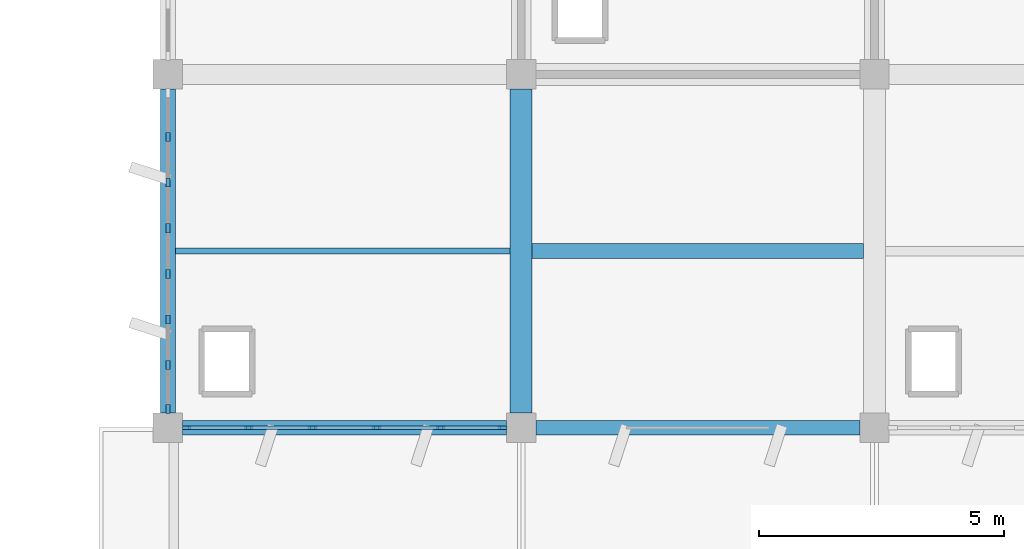
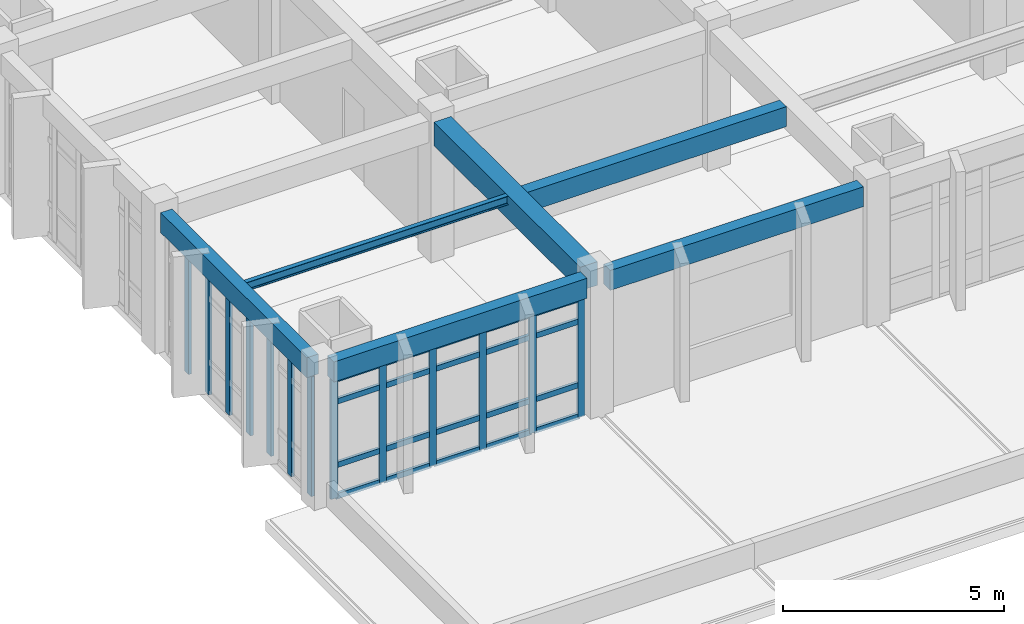
# One storey, part 10 of 62: 34 members, 5 beams, 2 elements without a shape of their own.
"""IFC4 building model written with IfcOpenShell, lengths in metres."""

from ifc_helpers import new_model, si_unit, direction, frame, origin, origin_2d, place, context, subcontext, project, spatial, rectangle, i_section, extrude, material, layer, layer_set, material_profile, profile_set, type_object, element, aggregate, save


model = new_model("IFC4")

# Units and contexts
model_context = context("Model", 3, precision=1e-05, world=origin(), true_north=direction((0.0, 1.0)))
body_context = subcontext(model_context, "Body", "Model", "MODEL_VIEW")
ifc_project = project(units=[si_unit("LENGTHUNIT", "METRE"), si_unit("AREAUNIT", "SQUARE_METRE"), si_unit("VOLUMEUNIT", "CUBIC_METRE"), si_unit("PLANEANGLEUNIT", "RADIAN"), si_unit("MASSUNIT", "GRAM", prefix="KILO")], contexts=[model_context])

# Site, building, storey
site_placement = place(None, origin())
site = spatial("IfcSite", under=ifc_project, at=site_placement, CompositionType="ELEMENT")
building_placement = place(site_placement, origin())
building = spatial("IfcBuilding", under=site, at=building_placement, Name="Kavelor Marine Aquarium", CompositionType="ELEMENT")
storey_placement = place(building_placement, frame((0.0, 0.0, 13.5)))
storey = spatial("IfcBuildingStorey", under=building, at=storey_placement, Name="L03", CompositionType="ELEMENT", Elevation=13.5)

# Beams
ifc_material_1 = material(Name="Concrete C40/50", Category="concrete")
ifc_material_profile_1 = material_profile(ifc_material_1, rectangle(XDim=0.449951171875, YDim=0.64990234375, at=origin_2d()), Name="RC-BM 450x650")
ifc_profile_set_1 = profile_set([ifc_material_profile_1], Name="Concrete C40/50")
beam_type_1 = type_object("IfcBeamType", Name="BM-B3", PredefinedType="BEAM", material=ifc_profile_set_1)
beam_1_placement = place(storey_placement, frame((125.60009765625, 60.699951171875, 3.534912109375), z_axis=(0.0, 1.0, 0.0), x_axis=(-1.0, 0.0, 0.0)))
element("IfcBeam", 1, at=beam_1_placement, inside=storey, type_object=beam_type_1, Name="bm:y:L03:L04:17_08", PredefinedType="BEAM", context=body_context, shape_type="SweptSolid", body=[
    extrude(rectangle(XDim=0.449951171875, YDim=0.64990234375, at=origin_2d()), origin(), (0.0, 0.0, 1.0), 6.60009765625),
])
ifc_material_2 = material(Name="Concrete C40/50", Category="concrete")
ifc_material_profile_2 = material_profile(ifc_material_2, rectangle(XDim=0.300048828125, YDim=0.550048828125, at=origin_2d()), Name="RC-JS 300x550")
ifc_profile_set_2 = profile_set([ifc_material_profile_2], Name="Concrete C40/50")
beam_type_2 = type_object("IfcBeamType", Name="BM-JS2", PredefinedType="JOIST", material=ifc_profile_set_2)
beam_2_placement = place(storey_placement, frame((125.824951171875, 64.0, 3.5849609375), z_axis=(1.0, 0.0, 0.0), x_axis=(0.0, 1.0, 0.0)))
element("IfcBeam", 2, at=beam_2_placement, inside=storey, type_object=beam_type_2, Name="js:L03:L04:17_08", PredefinedType="JOIST", context=body_context, shape_type="SweptSolid", body=[
    extrude(rectangle(XDim=0.300048828125, YDim=0.550048828125, at=origin_2d()), origin(), (0.0, 0.0, 1.0), 6.75),
])
ifc_material_3 = material(Name="Concrete C40/50", Category="concrete")
ifc_material_profile_3 = material_profile(ifc_material_3, rectangle(XDim=0.300048828125, YDim=0.550048828125, at=origin_2d()), Name="RC-SP 300x550")
ifc_profile_set_3 = profile_set([ifc_material_profile_3], Name="Concrete C40/50")
beam_type_3 = type_object("IfcBeamType", Name="BM-SP2", PredefinedType="SPANDREL", material=ifc_profile_set_3)
for number, where, z_axis, x_axis, name in (
    (3, (118.699951171875, 60.39990234375, 3.5849609375), (1.0, 0.0, 0.0), (0.0, 1.0, 0.0), "bm:x:L03:L04:16_08"),
    (4, (125.89990234375, 60.39990234375, 3.5849609375), (1.0, 0.0, 0.0), (0.0, 1.0, 0.0), "bm:x:L03:L04:17_08"),
    (5, (118.39990234375, 60.699951171875, 3.5849609375), (0.0, 1.0, 0.0), (-1.0, 0.0, 0.0), "bm:y:L03:L04:16_08"),
):
    element("IfcBeam", number, at=place(storey_placement, frame(where, z_axis=z_axis, x_axis=x_axis)), inside=storey, type_object=beam_type_3, Name=name, PredefinedType="SPANDREL", context=body_context, shape_type="SweptSolid", body=[
        extrude(rectangle(XDim=0.300048828125, YDim=0.550048828125, at=origin_2d()), origin(), (0.0, 0.0, 1.0), 6.60009765625),
    ])

# Curtain wall, members
ifc_material_4 = material(Name="Thermally Broken Aluminium and Low-E Glass", Category="aluminium")
ifc_layer_1 = layer(ifc_material_4, 0.196044921875)
ifc_layer_set_1 = layer_set([ifc_layer_1], Name="CW-SYS7")
curtain_wall_type_1 = type_object("IfcCurtainWallType", Name="CW-SYS7", PredefinedType="USERDEFINED", material=ifc_layer_set_1)
curtain_wall_1_placement = place(storey_placement, origin())
curtain_wall_1 = element("IfcCurtainWall", 6, at=curtain_wall_1_placement, inside=storey, type_object=curtain_wall_type_1, Name="cw:x:L03:16_08", ObjectType="Curtain Wall", PredefinedType="USERDEFINED")
ifc_material_5 = material(Name="Anodised Aluminium Alloy 6063-T6", Category="aluminium")
ifc_material_profile_4 = material_profile(ifc_material_5, rectangle(XDim=0.074951171875, YDim=0.179931640625, at=origin_2d()), Name="CW-MUL 75x180")
ifc_profile_set_4 = profile_set([ifc_material_profile_4], Name="Anodised Aluminium Alloy 6063-T6")
member_type_1 = type_object("IfcMemberType", Name="CWM-1", PredefinedType="MULLION", material=ifc_profile_set_4)
member_1_placement = place(storey_placement, frame((125.217529296875, 60.39990234375, 0.0), z_axis=(0.0, 0.0, 1.0), x_axis=(0.0, -1.0, 0.0)))
member_1 = element("IfcMember", 7, at=member_1_placement, type_object=member_type_1, Name="CW07 mullion 1", PredefinedType="MULLION", context=body_context, shape_type="SweptSolid", body=[
    extrude(rectangle(XDim=0.074951171875, YDim=0.179931640625, at=origin_2d()), origin(), (0.0, 0.0, 1.0), 3.300048828125),
])
member_2_placement = place(storey_placement, frame((123.952880859375, 60.39990234375, 0.0), z_axis=(0.0, 0.0, 1.0), x_axis=(0.0, -1.0, 0.0)))
member_2 = element("IfcMember", 8, at=member_2_placement, type_object=member_type_1, Name="CW07 mullion 2", PredefinedType="MULLION", context=body_context, shape_type="SweptSolid", body=[
    extrude(rectangle(XDim=0.074951171875, YDim=0.179931640625, at=origin_2d()), origin(), (0.0, 0.0, 1.0), 3.300048828125),
])
member_3_placement = place(storey_placement, frame((122.65087890625, 60.39990234375, 0.0), z_axis=(0.0, 0.0, 1.0), x_axis=(0.0, -1.0, 0.0)))
member_3 = element("IfcMember", 9, at=member_3_placement, type_object=member_type_1, Name="CW07 mullion 3", PredefinedType="MULLION", context=body_context, shape_type="SweptSolid", body=[
    extrude(rectangle(XDim=0.074951171875, YDim=0.179931640625, at=origin_2d()), origin(), (0.0, 0.0, 1.0), 3.300048828125),
])
member_4_placement = place(storey_placement, frame((121.34912109375, 60.39990234375, 0.0), z_axis=(0.0, 0.0, 1.0), x_axis=(0.0, -1.0, 0.0)))
member_4 = element("IfcMember", 10, at=member_4_placement, type_object=member_type_1, Name="CW07 mullion 4", PredefinedType="MULLION", context=body_context, shape_type="SweptSolid", body=[
    extrude(rectangle(XDim=0.074951171875, YDim=0.179931640625, at=origin_2d()), origin(), (0.0, 0.0, 1.0), 3.300048828125),
])
member_5_placement = place(storey_placement, frame((120.047119140625, 60.39990234375, 0.0), z_axis=(0.0, 0.0, 1.0), x_axis=(0.0, -1.0, 0.0)))
member_5 = element("IfcMember", 11, at=member_5_placement, type_object=member_type_1, Name="CW07 mullion 5", PredefinedType="MULLION", context=body_context, shape_type="SweptSolid", body=[
    extrude(rectangle(XDim=0.074951171875, YDim=0.179931640625, at=origin_2d()), origin(), (0.0, 0.0, 1.0), 3.300048828125),
])
member_6_placement = place(storey_placement, frame((118.782470703125, 60.39990234375, 0.0), z_axis=(0.0, 0.0, 1.0), x_axis=(0.0, -1.0, 0.0)))
member_6 = element("IfcMember", 12, at=member_6_placement, type_object=member_type_1, Name="CW07 mullion 6", PredefinedType="MULLION", context=body_context, shape_type="SweptSolid", body=[
    extrude(rectangle(XDim=0.074951171875, YDim=0.179931640625, at=origin_2d()), origin(), (0.0, 0.0, 1.0), 3.300048828125),
])

ifc_material_6 = material(Name="Thermally Broken Aluminium and Low-E Glass", Category="aluminium")
ifc_layer_2 = layer(ifc_material_6, 0.156005859375)
ifc_layer_set_2 = layer_set([ifc_layer_2], Name="CW-SYS2")
curtain_wall_type_2 = type_object("IfcCurtainWallType", Name="CW-SYS2", PredefinedType="USERDEFINED", material=ifc_layer_set_2)
curtain_wall_2_placement = place(storey_placement, origin())
curtain_wall_2 = element("IfcCurtainWall", 13, at=curtain_wall_2_placement, inside=storey, type_object=curtain_wall_type_2, Name="cw:y:L03:16_08", ObjectType="Curtain Wall", PredefinedType="USERDEFINED")
ifc_material_7 = material(Name="Anodised Aluminium Alloy 6063-T6", Category="aluminium")
ifc_material_profile_5 = material_profile(ifc_material_7, rectangle(XDim=0.080078125, YDim=0.18505859375, at=origin_2d()), Name="CW-MUL 80x185")
ifc_profile_set_5 = profile_set([ifc_material_profile_5], Name="Anodised Aluminium Alloy 6063-T6")
member_type_2 = type_object("IfcMemberType", Name="CWM-2", PredefinedType="MULLION", material=ifc_profile_set_5)
member_7_placement = place(storey_placement, frame((118.39990234375, 66.324951171875, 0.0), z_axis=(0.0, 0.0, 1.0), x_axis=(1.0, 0.0, 0.0)))
member_7 = element("IfcMember", 14, at=member_7_placement, type_object=member_type_2, Name="CW02 mullion 2", PredefinedType="MULLION", context=body_context, shape_type="SweptSolid", body=[
    extrude(rectangle(XDim=0.080078125, YDim=0.18505859375, at=origin_2d()), origin(), (0.0, 0.0, 1.0), 3.300048828125),
])
member_8_placement = place(storey_placement, frame((118.39990234375, 65.39501953125, 0.0), z_axis=(0.0, 0.0, 1.0), x_axis=(1.0, 0.0, 0.0)))
member_8 = element("IfcMember", 15, at=member_8_placement, type_object=member_type_2, Name="CW02 mullion 3", PredefinedType="MULLION", context=body_context, shape_type="SweptSolid", body=[
    extrude(rectangle(XDim=0.080078125, YDim=0.18505859375, at=origin_2d()), origin(), (0.0, 0.0, 1.0), 3.300048828125),
])
member_9_placement = place(storey_placement, frame((118.39990234375, 64.465087890625, 0.0), z_axis=(0.0, 0.0, 1.0), x_axis=(1.0, 0.0, 0.0)))
member_9 = element("IfcMember", 16, at=member_9_placement, type_object=member_type_2, Name="CW02 mullion 4", PredefinedType="MULLION", context=body_context, shape_type="SweptSolid", body=[
    extrude(rectangle(XDim=0.080078125, YDim=0.18505859375, at=origin_2d()), origin(), (0.0, 0.0, 1.0), 3.300048828125),
])
member_10_placement = place(storey_placement, frame((118.39990234375, 63.534912109375, 0.0), z_axis=(0.0, 0.0, 1.0), x_axis=(1.0, 0.0, 0.0)))
member_10 = element("IfcMember", 17, at=member_10_placement, type_object=member_type_2, Name="CW02 mullion 5", PredefinedType="MULLION", context=body_context, shape_type="SweptSolid", body=[
    extrude(rectangle(XDim=0.080078125, YDim=0.18505859375, at=origin_2d()), origin(), (0.0, 0.0, 1.0), 3.300048828125),
])
member_11_placement = place(storey_placement, frame((118.39990234375, 62.60498046875, 0.0), z_axis=(0.0, 0.0, 1.0), x_axis=(1.0, 0.0, 0.0)))
member_11 = element("IfcMember", 18, at=member_11_placement, type_object=member_type_2, Name="CW02 mullion 6", PredefinedType="MULLION", context=body_context, shape_type="SweptSolid", body=[
    extrude(rectangle(XDim=0.080078125, YDim=0.18505859375, at=origin_2d()), origin(), (0.0, 0.0, 1.0), 3.300048828125),
])
member_12_placement = place(storey_placement, frame((118.39990234375, 61.675048828125, 0.0), z_axis=(0.0, 0.0, 1.0), x_axis=(1.0, 0.0, 0.0)))
member_12 = element("IfcMember", 19, at=member_12_placement, type_object=member_type_2, Name="CW02 mullion 7", PredefinedType="MULLION", context=body_context, shape_type="SweptSolid", body=[
    extrude(rectangle(XDim=0.080078125, YDim=0.18505859375, at=origin_2d()), origin(), (0.0, 0.0, 1.0), 3.300048828125),
])
member_13_placement = place(storey_placement, frame((118.39990234375, 60.777587890625, 0.0), z_axis=(0.0, 0.0, 1.0), x_axis=(1.0, 0.0, 0.0)))
member_13 = element("IfcMember", 20, at=member_13_placement, type_object=member_type_2, Name="CW02 mullion 8", PredefinedType="MULLION", context=body_context, shape_type="SweptSolid", body=[
    extrude(rectangle(XDim=0.080078125, YDim=0.18505859375, at=origin_2d()), origin(), (0.0, 0.0, 1.0), 3.300048828125),
])
aggregate(curtain_wall_2, [member_7, member_8, member_9, member_10, member_11, member_12, member_13])

# Member
ifc_material_8 = material(Name="Anodised Aluminium Alloy 6063-T6", Category="aluminium")
ifc_material_profile_6 = material_profile(ifc_material_8, rectangle(XDim=0.074951171875, YDim=0.14990234375, at=origin_2d()), Name="CW-TRN 75x150")
ifc_profile_set_6 = profile_set([ifc_material_profile_6], Name="Anodised Aluminium Alloy 6063-T6")
member_type_3 = type_object("IfcMemberType", Name="CWT-1", PredefinedType="USERDEFINED", material=ifc_profile_set_6)
member_14_placement = place(storey_placement, frame((125.179931640625, 60.39990234375, 0.03759765625), z_axis=(-1.0, 0.0, 0.0), x_axis=(0.0, -1.0, 0.0)))
member_14 = element("IfcMember", 21, at=member_14_placement, type_object=member_type_3, Name="CW07 transom 1.1", ObjectType="TRANSOM", PredefinedType="USERDEFINED", context=body_context, shape_type="SweptSolid", body=[
    extrude(rectangle(XDim=0.074951171875, YDim=0.14990234375, at=origin_2d()), origin(), (0.0, 0.0, 1.0), 1.189453125),
])

member_15_placement = place(storey_placement, frame((125.179931640625, 60.39990234375, 0.89990234375), z_axis=(-1.0, 0.0, 0.0), x_axis=(0.0, -1.0, 0.0)))
member_15 = element("IfcMember", 22, at=member_15_placement, type_object=member_type_3, Name="CW07 transom 1.2", ObjectType="TRANSOM", PredefinedType="USERDEFINED", context=body_context, shape_type="SweptSolid", body=[
    extrude(rectangle(XDim=0.074951171875, YDim=0.14990234375, at=origin_2d()), origin(), (0.0, 0.0, 1.0), 1.189453125),
])

member_16_placement = place(storey_placement, frame((125.179931640625, 60.39990234375, 2.64990234375), z_axis=(-1.0, 0.0, 0.0), x_axis=(0.0, -1.0, 0.0)))
member_16 = element("IfcMember", 23, at=member_16_placement, type_object=member_type_3, Name="CW07 transom 1.3", ObjectType="TRANSOM", PredefinedType="USERDEFINED", context=body_context, shape_type="SweptSolid", body=[
    extrude(rectangle(XDim=0.074951171875, YDim=0.14990234375, at=origin_2d()), origin(), (0.0, 0.0, 1.0), 1.189453125),
])

member_17_placement = place(storey_placement, frame((125.179931640625, 60.39990234375, 3.262451171875), z_axis=(-1.0, 0.0, 0.0), x_axis=(0.0, -1.0, 0.0)))
member_17 = element("IfcMember", 24, at=member_17_placement, type_object=member_type_3, Name="CW07 transom 1.4", ObjectType="TRANSOM", PredefinedType="USERDEFINED", context=body_context, shape_type="SweptSolid", body=[
    extrude(rectangle(XDim=0.074951171875, YDim=0.14990234375, at=origin_2d()), origin(), (0.0, 0.0, 1.0), 1.189453125),
])

member_18_placement = place(storey_placement, frame((123.91552734375, 60.39990234375, 0.03759765625), z_axis=(-1.0, 0.0, 0.0), x_axis=(0.0, -1.0, 0.0)))
member_18 = element("IfcMember", 25, at=member_18_placement, type_object=member_type_3, Name="CW07 transom 2.1", ObjectType="TRANSOM", PredefinedType="USERDEFINED", context=body_context, shape_type="SweptSolid", body=[
    extrude(rectangle(XDim=0.074951171875, YDim=0.14990234375, at=origin_2d()), origin(), (0.0, 0.0, 1.0), 1.22705078125),
])

member_19_placement = place(storey_placement, frame((123.91552734375, 60.39990234375, 0.89990234375), z_axis=(-1.0, 0.0, 0.0), x_axis=(0.0, -1.0, 0.0)))
member_19 = element("IfcMember", 26, at=member_19_placement, type_object=member_type_3, Name="CW07 transom 2.2", ObjectType="TRANSOM", PredefinedType="USERDEFINED", context=body_context, shape_type="SweptSolid", body=[
    extrude(rectangle(XDim=0.074951171875, YDim=0.14990234375, at=origin_2d()), origin(), (0.0, 0.0, 1.0), 1.22705078125),
])

member_20_placement = place(storey_placement, frame((123.91552734375, 60.39990234375, 2.64990234375), z_axis=(-1.0, 0.0, 0.0), x_axis=(0.0, -1.0, 0.0)))
member_20 = element("IfcMember", 27, at=member_20_placement, type_object=member_type_3, Name="CW07 transom 2.3", ObjectType="TRANSOM", PredefinedType="USERDEFINED", context=body_context, shape_type="SweptSolid", body=[
    extrude(rectangle(XDim=0.074951171875, YDim=0.14990234375, at=origin_2d()), origin(), (0.0, 0.0, 1.0), 1.22705078125),
])

member_21_placement = place(storey_placement, frame((123.91552734375, 60.39990234375, 3.262451171875), z_axis=(-1.0, 0.0, 0.0), x_axis=(0.0, -1.0, 0.0)))
member_21 = element("IfcMember", 28, at=member_21_placement, type_object=member_type_3, Name="CW07 transom 2.4", ObjectType="TRANSOM", PredefinedType="USERDEFINED", context=body_context, shape_type="SweptSolid", body=[
    extrude(rectangle(XDim=0.074951171875, YDim=0.14990234375, at=origin_2d()), origin(), (0.0, 0.0, 1.0), 1.22705078125),
])

member_22_placement = place(storey_placement, frame((122.613525390625, 60.39990234375, 0.03759765625), z_axis=(-1.0, 0.0, 0.0), x_axis=(0.0, -1.0, 0.0)))
member_22 = element("IfcMember", 29, at=member_22_placement, type_object=member_type_3, Name="CW07 transom 3.1", ObjectType="TRANSOM", PredefinedType="USERDEFINED", context=body_context, shape_type="SweptSolid", body=[
    extrude(rectangle(XDim=0.074951171875, YDim=0.14990234375, at=origin_2d()), origin(), (0.0, 0.0, 1.0), 1.22705078125),
])

member_23_placement = place(storey_placement, frame((122.613525390625, 60.39990234375, 0.89990234375), z_axis=(-1.0, 0.0, 0.0), x_axis=(0.0, -1.0, 0.0)))
member_23 = element("IfcMember", 30, at=member_23_placement, type_object=member_type_3, Name="CW07 transom 3.2", ObjectType="TRANSOM", PredefinedType="USERDEFINED", context=body_context, shape_type="SweptSolid", body=[
    extrude(rectangle(XDim=0.074951171875, YDim=0.14990234375, at=origin_2d()), origin(), (0.0, 0.0, 1.0), 1.22705078125),
])

member_24_placement = place(storey_placement, frame((122.613525390625, 60.39990234375, 2.64990234375), z_axis=(-1.0, 0.0, 0.0), x_axis=(0.0, -1.0, 0.0)))
member_24 = element("IfcMember", 31, at=member_24_placement, type_object=member_type_3, Name="CW07 transom 3.3", ObjectType="TRANSOM", PredefinedType="USERDEFINED", context=body_context, shape_type="SweptSolid", body=[
    extrude(rectangle(XDim=0.074951171875, YDim=0.14990234375, at=origin_2d()), origin(), (0.0, 0.0, 1.0), 1.22705078125),
])

member_25_placement = place(storey_placement, frame((122.613525390625, 60.39990234375, 3.262451171875), z_axis=(-1.0, 0.0, 0.0), x_axis=(0.0, -1.0, 0.0)))
member_25 = element("IfcMember", 32, at=member_25_placement, type_object=member_type_3, Name="CW07 transom 3.4", ObjectType="TRANSOM", PredefinedType="USERDEFINED", context=body_context, shape_type="SweptSolid", body=[
    extrude(rectangle(XDim=0.074951171875, YDim=0.14990234375, at=origin_2d()), origin(), (0.0, 0.0, 1.0), 1.22705078125),
])

member_26_placement = place(storey_placement, frame((121.3115234375, 60.39990234375, 0.03759765625), z_axis=(-1.0, 0.0, 0.0), x_axis=(0.0, -1.0, 0.0)))
member_26 = element("IfcMember", 33, at=member_26_placement, type_object=member_type_3, Name="CW07 transom 4.1", ObjectType="TRANSOM", PredefinedType="USERDEFINED", context=body_context, shape_type="SweptSolid", body=[
    extrude(rectangle(XDim=0.074951171875, YDim=0.14990234375, at=origin_2d()), origin(), (0.0, 0.0, 1.0), 1.22705078125),
])

member_27_placement = place(storey_placement, frame((121.3115234375, 60.39990234375, 0.89990234375), z_axis=(-1.0, 0.0, 0.0), x_axis=(0.0, -1.0, 0.0)))
member_27 = element("IfcMember", 34, at=member_27_placement, type_object=member_type_3, Name="CW07 transom 4.2", ObjectType="TRANSOM", PredefinedType="USERDEFINED", context=body_context, shape_type="SweptSolid", body=[
    extrude(rectangle(XDim=0.074951171875, YDim=0.14990234375, at=origin_2d()), origin(), (0.0, 0.0, 1.0), 1.22705078125),
])

member_28_placement = place(storey_placement, frame((121.3115234375, 60.39990234375, 2.64990234375), z_axis=(-1.0, 0.0, 0.0), x_axis=(0.0, -1.0, 0.0)))
member_28 = element("IfcMember", 35, at=member_28_placement, type_object=member_type_3, Name="CW07 transom 4.3", ObjectType="TRANSOM", PredefinedType="USERDEFINED", context=body_context, shape_type="SweptSolid", body=[
    extrude(rectangle(XDim=0.074951171875, YDim=0.14990234375, at=origin_2d()), origin(), (0.0, 0.0, 1.0), 1.22705078125),
])

member_29_placement = place(storey_placement, frame((121.3115234375, 60.39990234375, 3.262451171875), z_axis=(-1.0, 0.0, 0.0), x_axis=(0.0, -1.0, 0.0)))
member_29 = element("IfcMember", 36, at=member_29_placement, type_object=member_type_3, Name="CW07 transom 4.4", ObjectType="TRANSOM", PredefinedType="USERDEFINED", context=body_context, shape_type="SweptSolid", body=[
    extrude(rectangle(XDim=0.074951171875, YDim=0.14990234375, at=origin_2d()), origin(), (0.0, 0.0, 1.0), 1.22705078125),
])

member_30_placement = place(storey_placement, frame((120.009521484375, 60.39990234375, 0.03759765625), z_axis=(-1.0, 0.0, 0.0), x_axis=(0.0, -1.0, 0.0)))
member_30 = element("IfcMember", 37, at=member_30_placement, type_object=member_type_3, Name="CW07 transom 5.1", ObjectType="TRANSOM", PredefinedType="USERDEFINED", context=body_context, shape_type="SweptSolid", body=[
    extrude(rectangle(XDim=0.074951171875, YDim=0.14990234375, at=origin_2d()), origin(), (0.0, 0.0, 1.0), 1.189453125),
])

member_31_placement = place(storey_placement, frame((120.009521484375, 60.39990234375, 0.89990234375), z_axis=(-1.0, 0.0, 0.0), x_axis=(0.0, -1.0, 0.0)))
member_31 = element("IfcMember", 38, at=member_31_placement, type_object=member_type_3, Name="CW07 transom 5.2", ObjectType="TRANSOM", PredefinedType="USERDEFINED", context=body_context, shape_type="SweptSolid", body=[
    extrude(rectangle(XDim=0.074951171875, YDim=0.14990234375, at=origin_2d()), origin(), (0.0, 0.0, 1.0), 1.189453125),
])

member_32_placement = place(storey_placement, frame((120.009521484375, 60.39990234375, 2.64990234375), z_axis=(-1.0, 0.0, 0.0), x_axis=(0.0, -1.0, 0.0)))
member_32 = element("IfcMember", 39, at=member_32_placement, type_object=member_type_3, Name="CW07 transom 5.3", ObjectType="TRANSOM", PredefinedType="USERDEFINED", context=body_context, shape_type="SweptSolid", body=[
    extrude(rectangle(XDim=0.074951171875, YDim=0.14990234375, at=origin_2d()), origin(), (0.0, 0.0, 1.0), 1.189453125),
])

member_33_placement = place(storey_placement, frame((120.009521484375, 60.39990234375, 3.262451171875), z_axis=(-1.0, 0.0, 0.0), x_axis=(0.0, -1.0, 0.0)))
member_33 = element("IfcMember", 40, at=member_33_placement, type_object=member_type_3, Name="CW07 transom 5.4", ObjectType="TRANSOM", PredefinedType="USERDEFINED", context=body_context, shape_type="SweptSolid", body=[
    extrude(rectangle(XDim=0.074951171875, YDim=0.14990234375, at=origin_2d()), origin(), (0.0, 0.0, 1.0), 1.189453125),
])

aggregate(curtain_wall_1, [member_1, member_2, member_3, member_4, member_5, member_6, member_14, member_15, member_16, member_17, member_18, member_19, member_20, member_21, member_22, member_23, member_24, member_25, member_26, member_27, member_28, member_29, member_30, member_31, member_32, member_33])

ifc_material_9 = material(Name="Steel S355", Category="steel")
ifc_material_profile_7 = material_profile(ifc_material_9, i_section(OverallWidth=0.1201171875, OverallDepth=0.239990234375, WebThickness=0.006103515625, FlangeThickness=0.009765625, FilletRadius=0.014892578125, at=origin_2d()), Name="IPE 240")
ifc_profile_set_7 = profile_set([ifc_material_profile_7], Name="Steel S355")
member_type_4 = type_object("IfcMemberType", Name="PR-SJ5", PredefinedType="PURLIN", material=ifc_profile_set_7)
member_34_placement = place(storey_placement, frame((118.550048828125, 64.0, 3.739990234375), z_axis=(1.0, 0.0, 0.0), x_axis=(0.0, 1.0, 0.0)))
element("IfcMember", 41, at=member_34_placement, inside=storey, type_object=member_type_4, Name="js:L03:L04:16_08", PredefinedType="PURLIN", context=body_context, shape_type="SweptSolid", body=[
    extrude(i_section(OverallWidth=0.1201171875, OverallDepth=0.239990234375, WebThickness=0.006103515625, FlangeThickness=0.009765625, FilletRadius=0.014892578125, at=origin_2d()), origin(), (0.0, 0.0, 1.0), 6.824951171875),
])

save(model, "model.ifc")
